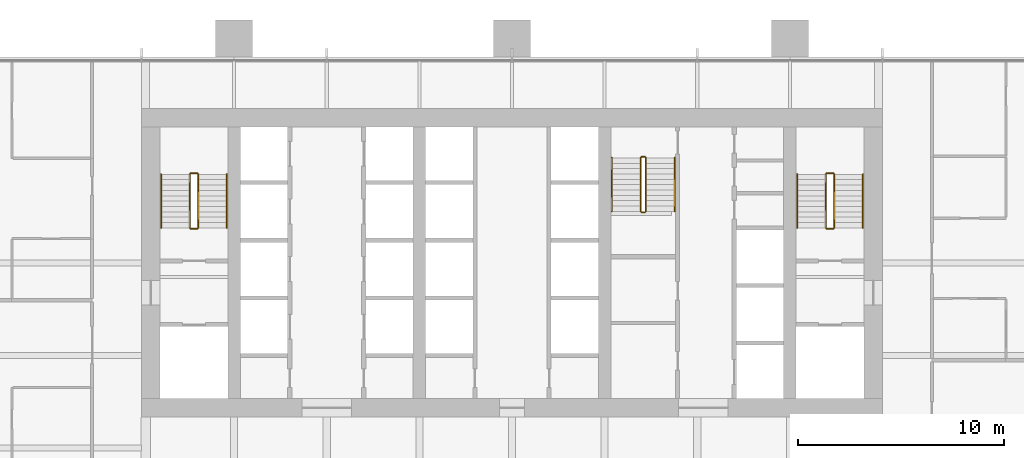
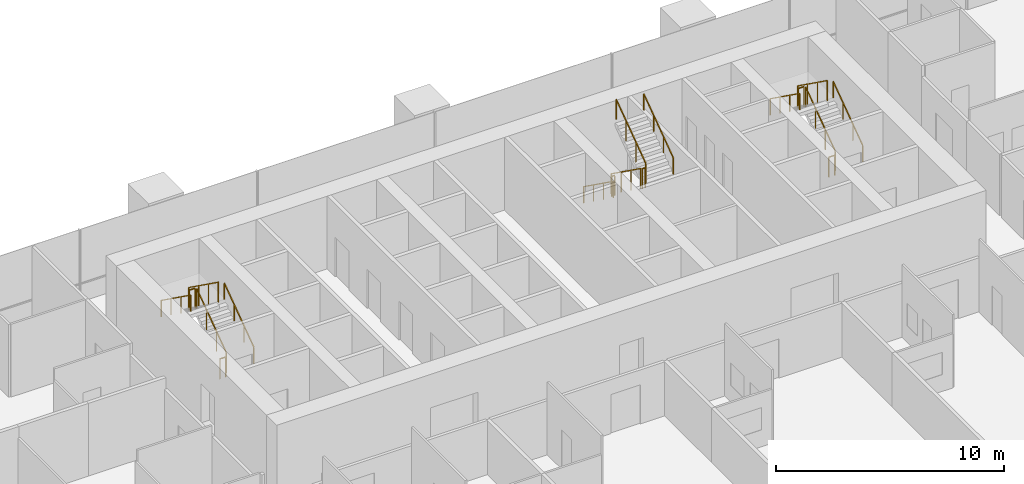
# One storey, part 18 of 18: 18 railings.
"""IFC4 building model written with IfcOpenShell, lengths in metres."""

from ifc_helpers import new_model, si_unit, direction, frame, origin, origin_2d, place, context, subcontext, project, spatial, rectangle, extrude, material, type_object, element, save


model = new_model("IFC4")

# Units and contexts
model_context = context("Model", 3, precision=1e-05, world=origin(), true_north=direction((0.0, 1.0)))
body_context = subcontext(model_context, "Body", "Model", "MODEL_VIEW")
ifc_project = project(units=[si_unit("LENGTHUNIT", "METRE"), si_unit("AREAUNIT", "SQUARE_METRE"), si_unit("VOLUMEUNIT", "CUBIC_METRE"), si_unit("PLANEANGLEUNIT", "RADIAN"), si_unit("MASSUNIT", "GRAM", prefix="KILO")], contexts=[model_context])

# Site, building, storey
site_placement = place(None, origin())
site = spatial("IfcSite", under=ifc_project, at=site_placement, CompositionType="ELEMENT")
building_placement = place(site_placement, origin())
building = spatial("IfcBuilding", under=site, at=building_placement, Name="Rattan Terrace Tower", CompositionType="ELEMENT")
storey_placement = place(building_placement, frame((0.0, 0.0, 36.5)))
storey = spatial("IfcBuildingStorey", under=building, at=storey_placement, Name="L07", CompositionType="ELEMENT", Elevation=36.5)

# Railings
ifc_material_1 = material(Name="Powder-coated steel guard", Category="steel")
railing_type_1 = type_object("IfcRailingType", Name="Core stair guard", PredefinedType="GUARDRAIL", material=ifc_material_1)
railing_1_placement = place(storey_placement, frame((-15.25, 1.699951171875, 0.186279296875)))
element("IfcRailing", 1, at=railing_1_placement, inside=storey, type_object=railing_type_1, Name="L07 S1 stair guard 1", PredefinedType="GUARDRAIL", context=body_context, shape_type="SweptSolid", body=[
    extrude(rectangle(XDim=0.048095703125, YDim=0.048095703125, at=origin_2d()), frame((0.0, 0.0, 1.076171875), z_axis=(0.0, 0.812762922914, 0.582594568406), x_axis=(-1.0, 0.0, 0.0)), (0.0, 0.0, 1.0), 3.198974609375),
    extrude(rectangle(XDim=0.0419921875, YDim=0.0419921875, at=origin_2d()), origin(), (0.0, 0.0, 1.0), 1.052001953125),
    extrude(rectangle(XDim=0.0419921875, YDim=0.0419921875, at=origin_2d()), frame((0.0, 0.86669921875, 0.621337890625)), (0.0, 0.0, 1.0), 1.052001953125),
    extrude(rectangle(XDim=0.0419921875, YDim=0.0419921875, at=origin_2d()), frame((0.0, 1.7333984375, 1.242431640625)), (0.0, 0.0, 1.0), 1.052001953125),
    extrude(rectangle(XDim=0.0419921875, YDim=0.0419921875, at=origin_2d()), frame((0.0, 2.60009765625, 1.86376953125)), (0.0, 0.0, 1.0), 1.052001953125),
])
railing_2_placement = place(storey_placement, frame((-15.300048828125, 4.35009765625, 2.050048828125)))
element("IfcRailing", 2, at=railing_2_placement, inside=storey, type_object=railing_type_1, Name="L07 S1 stair guard 2", PredefinedType="GUARDRAIL", context=body_context, shape_type="SweptSolid", body=[
    extrude(rectangle(XDim=0.048095703125, YDim=0.048095703125, at=origin_2d()), frame((0.0, 0.0, 1.076171875), z_axis=(-1.0, 0.0, 0.0), x_axis=(0.0, -1.0, 0.0)), (0.0, 0.0, 1.0), 0.300048828125),
    extrude(rectangle(XDim=0.0419921875, YDim=0.0419921875, at=origin_2d()), origin(), (0.0, 0.0, 1.0), 1.052001953125),
    extrude(rectangle(XDim=0.0419921875, YDim=0.0419921875, at=origin_2d()), frame((-0.300048828125, 0.0, 0.0)), (0.0, 0.0, 1.0), 1.052001953125),
])
railing_3_placement = place(storey_placement, frame((-15.64990234375, 4.300048828125, 2.236328125)))
element("IfcRailing", 3, at=railing_3_placement, inside=storey, type_object=railing_type_1, Name="L07 S1 stair guard 3", PredefinedType="GUARDRAIL", context=body_context, shape_type="SweptSolid", body=[
    extrude(rectangle(XDim=0.048095703125, YDim=0.048095703125, at=origin_2d()), frame((0.0, 0.0, 1.076171875), z_axis=(0.0, -0.812762922914, 0.582594568406), x_axis=(1.0, 0.0, 0.0)), (0.0, 0.0, 1.0), 3.198974609375),
    extrude(rectangle(XDim=0.0419921875, YDim=0.0419921875, at=origin_2d()), origin(), (0.0, 0.0, 1.0), 1.052001953125),
    extrude(rectangle(XDim=0.0419921875, YDim=0.0419921875, at=origin_2d()), frame((0.0, -0.86669921875, 0.621337890625)), (0.0, 0.0, 1.0), 1.052001953125),
    extrude(rectangle(XDim=0.0419921875, YDim=0.0419921875, at=origin_2d()), frame((0.0, -1.7333984375, 1.242431640625)), (0.0, 0.0, 1.0), 1.052001953125),
    extrude(rectangle(XDim=0.0419921875, YDim=0.0419921875, at=origin_2d()), frame((0.0, -2.60009765625, 1.86376953125)), (0.0, 0.0, 1.0), 1.052001953125),
])
railing_4_placement = place(storey_placement, frame((-15.300048828125, 1.64990234375, 0.0)))
element("IfcRailing", 4, at=railing_4_placement, inside=storey, type_object=railing_type_1, Name="L07 S1 stair guard 4", PredefinedType="GUARDRAIL", context=body_context, shape_type="SweptSolid", body=[
    extrude(rectangle(XDim=0.048095703125, YDim=0.048095703125, at=origin_2d()), frame((0.0, 0.0, 1.076171875), z_axis=(-1.0, 0.0, 0.0), x_axis=(0.0, -1.0, 0.0)), (0.0, 0.0, 1.0), 0.300048828125),
    extrude(rectangle(XDim=0.0419921875, YDim=0.0419921875, at=origin_2d()), origin(), (0.0, 0.0, 1.0), 1.052001953125),
    extrude(rectangle(XDim=0.0419921875, YDim=0.0419921875, at=origin_2d()), frame((-0.300048828125, 0.0, 0.0)), (0.0, 0.0, 1.0), 1.052001953125),
])
railing_5_placement = place(storey_placement, frame((15.64990234375, 1.699951171875, 0.186279296875)))
element("IfcRailing", 5, at=railing_5_placement, inside=storey, type_object=railing_type_1, Name="L07 S2 stair guard 1", PredefinedType="GUARDRAIL", context=body_context, shape_type="SweptSolid", body=[
    extrude(rectangle(XDim=0.048095703125, YDim=0.048095703125, at=origin_2d()), frame((0.0, 0.0, 1.076171875), z_axis=(0.0, 0.812762922914, 0.582594568406), x_axis=(-1.0, 0.0, 0.0)), (0.0, 0.0, 1.0), 3.198974609375),
    extrude(rectangle(XDim=0.0419921875, YDim=0.0419921875, at=origin_2d()), origin(), (0.0, 0.0, 1.0), 1.052001953125),
    extrude(rectangle(XDim=0.0419921875, YDim=0.0419921875, at=origin_2d()), frame((0.0, 0.86669921875, 0.621337890625)), (0.0, 0.0, 1.0), 1.052001953125),
    extrude(rectangle(XDim=0.0419921875, YDim=0.0419921875, at=origin_2d()), frame((0.0, 1.7333984375, 1.242431640625)), (0.0, 0.0, 1.0), 1.052001953125),
    extrude(rectangle(XDim=0.0419921875, YDim=0.0419921875, at=origin_2d()), frame((0.0, 2.60009765625, 1.86376953125)), (0.0, 0.0, 1.0), 1.052001953125),
])
railing_6_placement = place(storey_placement, frame((15.60009765625, 4.35009765625, 2.050048828125)))
element("IfcRailing", 6, at=railing_6_placement, inside=storey, type_object=railing_type_1, Name="L07 S2 stair guard 2", PredefinedType="GUARDRAIL", context=body_context, shape_type="SweptSolid", body=[
    extrude(rectangle(XDim=0.048095703125, YDim=0.048095703125, at=origin_2d()), frame((0.0, 0.0, 1.076171875), z_axis=(-1.0, 0.0, 0.0), x_axis=(0.0, -1.0, 0.0)), (0.0, 0.0, 1.0), 0.300048828125),
    extrude(rectangle(XDim=0.0419921875, YDim=0.0419921875, at=origin_2d()), origin(), (0.0, 0.0, 1.0), 1.052001953125),
    extrude(rectangle(XDim=0.0419921875, YDim=0.0419921875, at=origin_2d()), frame((-0.300048828125, 0.0, 0.0)), (0.0, 0.0, 1.0), 1.052001953125),
])
railing_7_placement = place(storey_placement, frame((15.25, 4.300048828125, 2.236328125)))
element("IfcRailing", 7, at=railing_7_placement, inside=storey, type_object=railing_type_1, Name="L07 S2 stair guard 3", PredefinedType="GUARDRAIL", context=body_context, shape_type="SweptSolid", body=[
    extrude(rectangle(XDim=0.048095703125, YDim=0.048095703125, at=origin_2d()), frame((0.0, 0.0, 1.076171875), z_axis=(0.0, -0.812762922914, 0.582594568406), x_axis=(1.0, 0.0, 0.0)), (0.0, 0.0, 1.0), 3.198974609375),
    extrude(rectangle(XDim=0.0419921875, YDim=0.0419921875, at=origin_2d()), origin(), (0.0, 0.0, 1.0), 1.052001953125),
    extrude(rectangle(XDim=0.0419921875, YDim=0.0419921875, at=origin_2d()), frame((0.0, -0.86669921875, 0.621337890625)), (0.0, 0.0, 1.0), 1.052001953125),
    extrude(rectangle(XDim=0.0419921875, YDim=0.0419921875, at=origin_2d()), frame((0.0, -1.7333984375, 1.242431640625)), (0.0, 0.0, 1.0), 1.052001953125),
    extrude(rectangle(XDim=0.0419921875, YDim=0.0419921875, at=origin_2d()), frame((0.0, -2.60009765625, 1.86376953125)), (0.0, 0.0, 1.0), 1.052001953125),
])
railing_8_placement = place(storey_placement, frame((15.60009765625, 1.64990234375, 0.0)))
element("IfcRailing", 8, at=railing_8_placement, inside=storey, type_object=railing_type_1, Name="L07 S2 stair guard 4", PredefinedType="GUARDRAIL", context=body_context, shape_type="SweptSolid", body=[
    extrude(rectangle(XDim=0.048095703125, YDim=0.048095703125, at=origin_2d()), frame((0.0, 0.0, 1.076171875), z_axis=(-1.0, 0.0, 0.0), x_axis=(0.0, -1.0, 0.0)), (0.0, 0.0, 1.0), 0.300048828125),
    extrude(rectangle(XDim=0.0419921875, YDim=0.0419921875, at=origin_2d()), origin(), (0.0, 0.0, 1.0), 1.052001953125),
    extrude(rectangle(XDim=0.0419921875, YDim=0.0419921875, at=origin_2d()), frame((-0.300048828125, 0.0, 0.0)), (0.0, 0.0, 1.0), 1.052001953125),
])
railing_9_placement = place(storey_placement, frame((6.25, 5.10009765625, 0.186279296875)))
element("IfcRailing", 9, at=railing_9_placement, inside=storey, type_object=railing_type_1, Name="L07 S3 stair guard 1", PredefinedType="GUARDRAIL", context=body_context, shape_type="SweptSolid", body=[
    extrude(rectangle(XDim=0.048095703125, YDim=0.048095703125, at=origin_2d()), frame((0.0, 0.0, 1.076171875), z_axis=(0.0, -0.812762922914, 0.582594568406), x_axis=(1.0, 0.0, 0.0)), (0.0, 0.0, 1.0), 3.198974609375),
    extrude(rectangle(XDim=0.0419921875, YDim=0.0419921875, at=origin_2d()), origin(), (0.0, 0.0, 1.0), 1.052001953125),
    extrude(rectangle(XDim=0.0419921875, YDim=0.0419921875, at=origin_2d()), frame((0.0, -0.86669921875, 0.621337890625)), (0.0, 0.0, 1.0), 1.052001953125),
    extrude(rectangle(XDim=0.0419921875, YDim=0.0419921875, at=origin_2d()), frame((0.0, -1.7333984375, 1.242431640625)), (0.0, 0.0, 1.0), 1.052001953125),
    extrude(rectangle(XDim=0.0419921875, YDim=0.0419921875, at=origin_2d()), frame((0.0, -2.60009765625, 1.86376953125)), (0.0, 0.0, 1.0), 1.052001953125),
])
railing_10_placement = place(storey_placement, frame((6.300048828125, 2.449951171875, 2.050048828125)))
element("IfcRailing", 10, at=railing_10_placement, inside=storey, type_object=railing_type_1, Name="L07 S3 stair guard 2", PredefinedType="GUARDRAIL", context=body_context, shape_type="SweptSolid", body=[
    extrude(rectangle(XDim=0.048095703125, YDim=0.048095703125, at=origin_2d()), frame((0.0, 0.0, 1.076171875), z_axis=(1.0, 0.0, 0.0), x_axis=(0.0, 1.0, 0.0)), (0.0, 0.0, 1.0), 0.14990234375),
    extrude(rectangle(XDim=0.0419921875, YDim=0.0419921875, at=origin_2d()), origin(), (0.0, 0.0, 1.0), 1.052001953125),
    extrude(rectangle(XDim=0.0419921875, YDim=0.0419921875, at=origin_2d()), frame((0.14990234375, 0.0, 0.0)), (0.0, 0.0, 1.0), 1.052001953125),
])
railing_11_placement = place(storey_placement, frame((6.5, 2.5, 2.236328125)))
element("IfcRailing", 11, at=railing_11_placement, inside=storey, type_object=railing_type_1, Name="L07 S3 stair guard 3", PredefinedType="GUARDRAIL", context=body_context, shape_type="SweptSolid", body=[
    extrude(rectangle(XDim=0.048095703125, YDim=0.048095703125, at=origin_2d()), frame((0.0, 0.0, 1.076171875), z_axis=(0.0, 0.812762922914, 0.582594568406), x_axis=(-1.0, 0.0, 0.0)), (0.0, 0.0, 1.0), 3.198974609375),
    extrude(rectangle(XDim=0.0419921875, YDim=0.0419921875, at=origin_2d()), origin(), (0.0, 0.0, 1.0), 1.052001953125),
    extrude(rectangle(XDim=0.0419921875, YDim=0.0419921875, at=origin_2d()), frame((0.0, 0.86669921875, 0.621337890625)), (0.0, 0.0, 1.0), 1.052001953125),
    extrude(rectangle(XDim=0.0419921875, YDim=0.0419921875, at=origin_2d()), frame((0.0, 1.7333984375, 1.242431640625)), (0.0, 0.0, 1.0), 1.052001953125),
    extrude(rectangle(XDim=0.0419921875, YDim=0.0419921875, at=origin_2d()), frame((0.0, 2.60009765625, 1.86376953125)), (0.0, 0.0, 1.0), 1.052001953125),
])
railing_12_placement = place(storey_placement, frame((6.300048828125, 5.14990234375, 0.0)))
element("IfcRailing", 12, at=railing_12_placement, inside=storey, type_object=railing_type_1, Name="L07 S3 stair guard 4", PredefinedType="GUARDRAIL", context=body_context, shape_type="SweptSolid", body=[
    extrude(rectangle(XDim=0.048095703125, YDim=0.048095703125, at=origin_2d()), frame((0.0, 0.0, 1.076171875), z_axis=(1.0, 0.0, 0.0), x_axis=(0.0, 1.0, 0.0)), (0.0, 0.0, 1.0), 0.14990234375),
    extrude(rectangle(XDim=0.0419921875, YDim=0.0419921875, at=origin_2d()), origin(), (0.0, 0.0, 1.0), 1.052001953125),
    extrude(rectangle(XDim=0.0419921875, YDim=0.0419921875, at=origin_2d()), frame((0.14990234375, 0.0, 0.0)), (0.0, 0.0, 1.0), 1.052001953125),
])
ifc_material_2 = material(Name="Powder-coated steel handrail", Category="steel")
railing_type_2 = type_object("IfcRailingType", Name="Core stair handrail", PredefinedType="HANDRAIL", material=ifc_material_2)
railing_13_placement = place(storey_placement, frame((-13.85009765625, 1.699951171875, 0.186279296875)))
element("IfcRailing", 13, at=railing_13_placement, inside=storey, type_object=railing_type_2, Name="L07 S1 stair handrail 1", PredefinedType="HANDRAIL", context=body_context, shape_type="SweptSolid", body=[
    extrude(rectangle(XDim=0.048095703125, YDim=0.048095703125, at=origin_2d()), frame((0.0, 0.0, 0.8759765625), z_axis=(0.0, 0.812762922914, 0.582594568406), x_axis=(-1.0, 0.0, 0.0)), (0.0, 0.0, 1.0), 3.198974609375),
    extrude(rectangle(XDim=0.0419921875, YDim=0.0419921875, at=origin_2d()), origin(), (0.0, 0.0, 1.0), 0.851806640625),
    extrude(rectangle(XDim=0.0419921875, YDim=0.0419921875, at=origin_2d()), frame((0.0, 0.86669921875, 0.621337890625)), (0.0, 0.0, 1.0), 0.851806640625),
    extrude(rectangle(XDim=0.0419921875, YDim=0.0419921875, at=origin_2d()), frame((0.0, 1.7333984375, 1.242431640625)), (0.0, 0.0, 1.0), 0.851806640625),
    extrude(rectangle(XDim=0.0419921875, YDim=0.0419921875, at=origin_2d()), frame((0.0, 2.60009765625, 1.86376953125)), (0.0, 0.0, 1.0), 0.851806640625),
])
railing_14_placement = place(storey_placement, frame((-17.050048828125, 4.300048828125, 2.236328125)))
element("IfcRailing", 14, at=railing_14_placement, inside=storey, type_object=railing_type_2, Name="L07 S1 stair handrail 2", PredefinedType="HANDRAIL", context=body_context, shape_type="SweptSolid", body=[
    extrude(rectangle(XDim=0.048095703125, YDim=0.048095703125, at=origin_2d()), frame((0.0, 0.0, 0.8759765625), z_axis=(0.0, -0.812762922914, 0.582594568406), x_axis=(1.0, 0.0, 0.0)), (0.0, 0.0, 1.0), 3.198974609375),
    extrude(rectangle(XDim=0.0419921875, YDim=0.0419921875, at=origin_2d()), origin(), (0.0, 0.0, 1.0), 0.851806640625),
    extrude(rectangle(XDim=0.0419921875, YDim=0.0419921875, at=origin_2d()), frame((0.0, -0.86669921875, 0.621337890625)), (0.0, 0.0, 1.0), 0.851806640625),
    extrude(rectangle(XDim=0.0419921875, YDim=0.0419921875, at=origin_2d()), frame((0.0, -1.7333984375, 1.242431640625)), (0.0, 0.0, 1.0), 0.851806640625),
    extrude(rectangle(XDim=0.0419921875, YDim=0.0419921875, at=origin_2d()), frame((0.0, -2.60009765625, 1.86376953125)), (0.0, 0.0, 1.0), 0.851806640625),
])
railing_15_placement = place(storey_placement, frame((17.050048828125, 1.699951171875, 0.186279296875)))
element("IfcRailing", 15, at=railing_15_placement, inside=storey, type_object=railing_type_2, Name="L07 S2 stair handrail 1", PredefinedType="HANDRAIL", context=body_context, shape_type="SweptSolid", body=[
    extrude(rectangle(XDim=0.048095703125, YDim=0.048095703125, at=origin_2d()), frame((0.0, 0.0, 0.8759765625), z_axis=(0.0, 0.812762922914, 0.582594568406), x_axis=(-1.0, 0.0, 0.0)), (0.0, 0.0, 1.0), 3.198974609375),
    extrude(rectangle(XDim=0.0419921875, YDim=0.0419921875, at=origin_2d()), origin(), (0.0, 0.0, 1.0), 0.851806640625),
    extrude(rectangle(XDim=0.0419921875, YDim=0.0419921875, at=origin_2d()), frame((0.0, 0.86669921875, 0.621337890625)), (0.0, 0.0, 1.0), 0.851806640625),
    extrude(rectangle(XDim=0.0419921875, YDim=0.0419921875, at=origin_2d()), frame((0.0, 1.7333984375, 1.242431640625)), (0.0, 0.0, 1.0), 0.851806640625),
    extrude(rectangle(XDim=0.0419921875, YDim=0.0419921875, at=origin_2d()), frame((0.0, 2.60009765625, 1.86376953125)), (0.0, 0.0, 1.0), 0.851806640625),
])
for number, where, name in (
    (16, (13.85009765625, 4.300048828125, 2.236328125), "L07 S2 stair handrail 2"),
    (17, (4.85009765625, 5.10009765625, 0.186279296875), "L07 S3 stair handrail 1"),
):
    element("IfcRailing", number, at=place(storey_placement, frame(where)), inside=storey, type_object=railing_type_2, Name=name, PredefinedType="HANDRAIL", context=body_context, shape_type="SweptSolid", body=[
        extrude(rectangle(XDim=0.048095703125, YDim=0.048095703125, at=origin_2d()), frame((0.0, 0.0, 0.8759765625), z_axis=(0.0, -0.812762922914, 0.582594568406), x_axis=(1.0, 0.0, 0.0)), (0.0, 0.0, 1.0), 3.198974609375),
        extrude(rectangle(XDim=0.0419921875, YDim=0.0419921875, at=origin_2d()), origin(), (0.0, 0.0, 1.0), 0.851806640625),
        extrude(rectangle(XDim=0.0419921875, YDim=0.0419921875, at=origin_2d()), frame((0.0, -0.86669921875, 0.621337890625)), (0.0, 0.0, 1.0), 0.851806640625),
        extrude(rectangle(XDim=0.0419921875, YDim=0.0419921875, at=origin_2d()), frame((0.0, -1.7333984375, 1.242431640625)), (0.0, 0.0, 1.0), 0.851806640625),
        extrude(rectangle(XDim=0.0419921875, YDim=0.0419921875, at=origin_2d()), frame((0.0, -2.60009765625, 1.86376953125)), (0.0, 0.0, 1.0), 0.851806640625),
    ])
railing_16_placement = place(storey_placement, frame((7.89990234375, 2.5, 2.236328125)))
element("IfcRailing", 18, at=railing_16_placement, inside=storey, type_object=railing_type_2, Name="L07 S3 stair handrail 2", PredefinedType="HANDRAIL", context=body_context, shape_type="SweptSolid", body=[
    extrude(rectangle(XDim=0.048095703125, YDim=0.048095703125, at=origin_2d()), frame((0.0, 0.0, 0.8759765625), z_axis=(0.0, 0.812762922914, 0.582594568406), x_axis=(-1.0, 0.0, 0.0)), (0.0, 0.0, 1.0), 3.198974609375),
    extrude(rectangle(XDim=0.0419921875, YDim=0.0419921875, at=origin_2d()), origin(), (0.0, 0.0, 1.0), 0.851806640625),
    extrude(rectangle(XDim=0.0419921875, YDim=0.0419921875, at=origin_2d()), frame((0.0, 0.86669921875, 0.621337890625)), (0.0, 0.0, 1.0), 0.851806640625),
    extrude(rectangle(XDim=0.0419921875, YDim=0.0419921875, at=origin_2d()), frame((0.0, 1.7333984375, 1.242431640625)), (0.0, 0.0, 1.0), 0.851806640625),
    extrude(rectangle(XDim=0.0419921875, YDim=0.0419921875, at=origin_2d()), frame((0.0, 2.60009765625, 1.86376953125)), (0.0, 0.0, 1.0), 0.851806640625),
])

save(model, "model.ifc")
